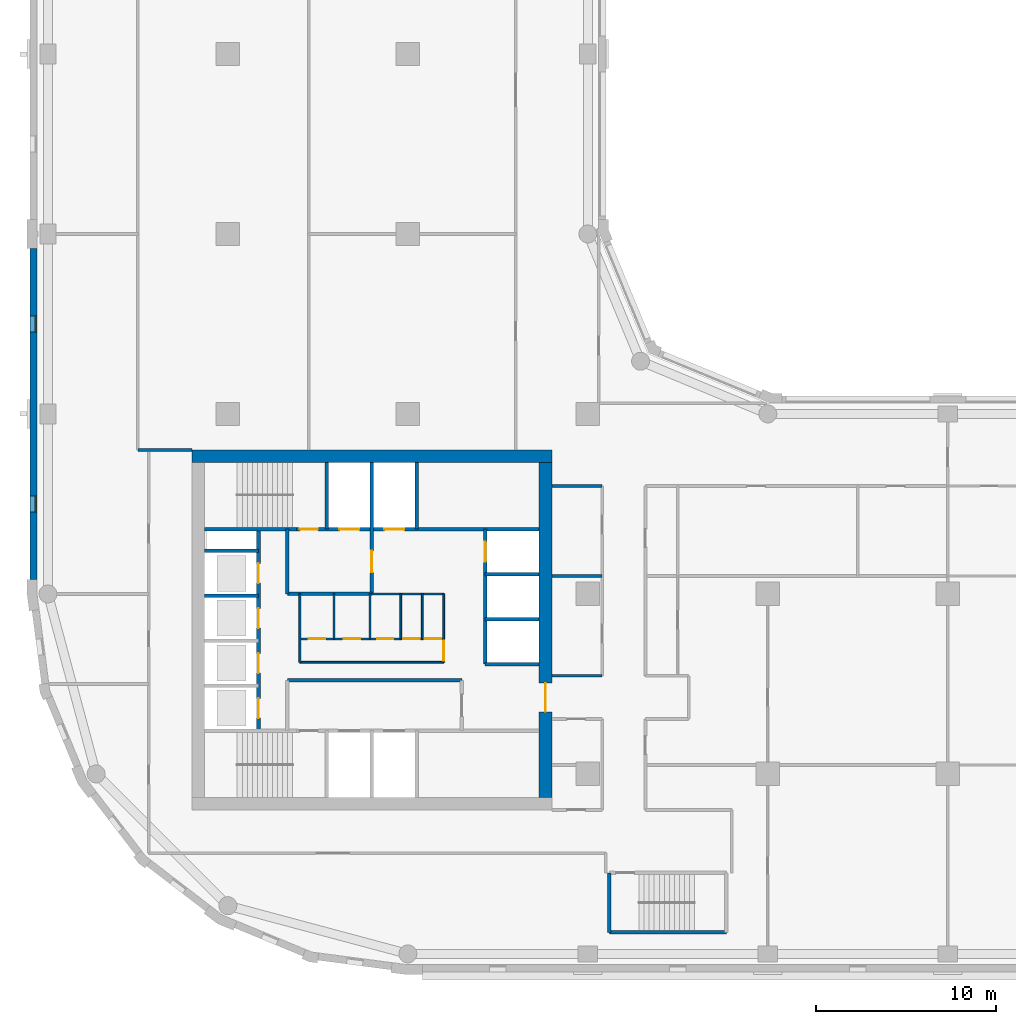
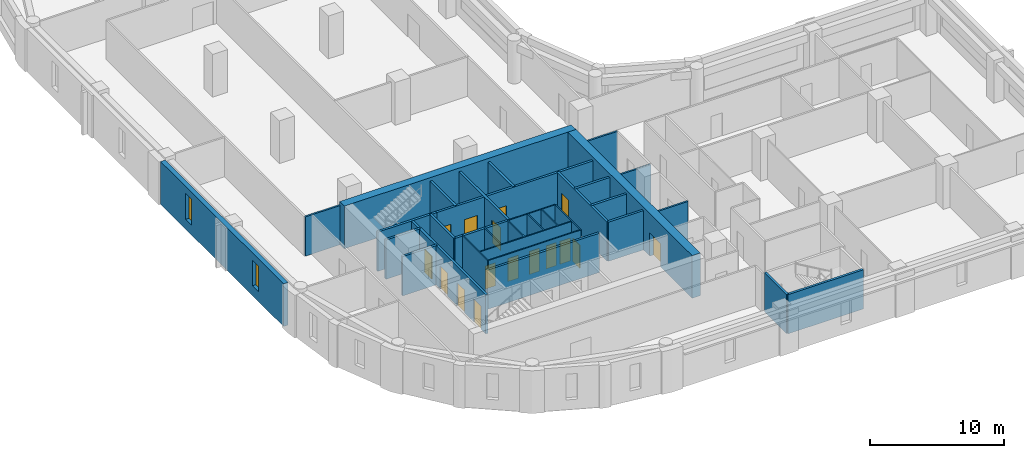
# One storey, part 3 of 10: 33 walls, 16 doors, 2 windows, 18 openings.
"""IFC4 building model written with IfcOpenShell, lengths in metres."""

from ifc_helpers import new_model, si_unit, direction, frame, frame_2d, origin, place, context, subcontext, project, spatial, rectangle, extrude, material, layer, layer_set, type_object, element, fill, save


model = new_model("IFC4")

# Units and contexts
model_context = context("Model", 3, precision=1e-05, world=origin(), true_north=direction((0.0, 1.0)))
body_context = subcontext(model_context, "Body", "Model", "MODEL_VIEW")
ifc_project = project(units=[si_unit("LENGTHUNIT", "METRE"), si_unit("AREAUNIT", "SQUARE_METRE"), si_unit("VOLUMEUNIT", "CUBIC_METRE"), si_unit("PLANEANGLEUNIT", "RADIAN"), si_unit("MASSUNIT", "GRAM", prefix="KILO")], contexts=[model_context])

# Site, building, storey
site_placement = place(None, origin())
site = spatial("IfcSite", under=ifc_project, at=site_placement, CompositionType="ELEMENT")
building_placement = place(site_placement, origin())
building = spatial("IfcBuilding", under=site, at=building_placement, Name="Qaws Garden Tower", CompositionType="ELEMENT")
storey_placement = place(building_placement, frame((0.0, 0.0, 178.5)))
storey = spatial("IfcBuildingStorey", under=building, at=storey_placement, Name="L43", CompositionType="ELEMENT", Elevation=178.5)

# Wall, openings, windows
ifc_material_1 = material(Name="Clay facing brick masonry", Category="masonry")
ifc_layer_1 = layer(ifc_material_1, 0.39990234375)
ifc_layer_set_1 = layer_set([ifc_layer_1], Name="Clay facing brick masonry")
wall_type_1 = type_object("IfcWallType", Name="Brick infill wall 400", PredefinedType="SOLIDWALL", material=ifc_layer_set_1)
wall_1_placement = place(storey_placement, frame((-0.800048828125, 39.199951171875, 0.0), z_axis=(0.0, 0.0, 1.0), x_axis=(0.0, -1.0, 0.0)))
wall_1 = element("IfcWall", 1, at=wall_1_placement, inside=storey, type_object=wall_type_1, Name="E-L43-infill-23", PredefinedType="SOLIDWALL", context=body_context, shape_type="SweptSolid", body=[
    extrude(rectangle(XDim=18.39990234375, YDim=0.39990234375, at=frame_2d((9.199951171875, 0.0))), origin(), (0.0, 0.0, 1.0), 3.89990234375),
])
opening_1_placement = place(wall_1_placement, frame((3.75, 0.0, 0.89990234375)))
opening_1 = element("IfcOpeningElement", 2, at=opening_1_placement, cuts=wall_1, Name="Opening W09", PredefinedType="OPENING", context=body_context, shape_type="SweptSolid", body=[
    extrude(rectangle(XDim=0.89990234375, YDim=2.35009765625, at=frame_2d((0.449951171875, 1.175048828125))), frame((0.0, 0.2099609375, 0.0), z_axis=(0.0, -1.0, 0.0), x_axis=(1.0, 0.0, 0.0)), (0.0, 0.0, 1.0), 0.419921875),
])
opening_2_placement = place(wall_1_placement, frame((13.75, 0.0, 0.89990234375)))
opening_2 = element("IfcOpeningElement", 3, at=opening_2_placement, cuts=wall_1, Name="Opening W09", PredefinedType="OPENING", context=body_context, shape_type="SweptSolid", body=[
    extrude(rectangle(XDim=0.89990234375, YDim=2.35009765625, at=frame_2d((0.449951171875, 1.175048828125))), frame((0.0, 0.2099609375, 0.0), z_axis=(0.0, -1.0, 0.0), x_axis=(1.0, 0.0, 0.0)), (0.0, 0.0, 1.0), 0.419921875),
])
ifc_material_2 = material(Name="Aluminium framed window, clear glazing", Category="aluminium")
window_type = type_object("IfcWindowType", Name="Slit window 900 x 2350", PartitioningType="SINGLE_PANEL", PredefinedType="WINDOW", material=ifc_material_2)
window_1_placement = place(opening_1_placement, origin())
window_1 = element("IfcWindow", 4, at=window_1_placement, inside=storey, type_object=window_type, Name="E-L43-window-23-0", OverallHeight=2.35009765625, OverallWidth=0.89990234375, PartitioningType="SINGLE_PANEL", PredefinedType="WINDOW", context=body_context, shape_type="SweptSolid", body=[
    extrude(rectangle(XDim=0.89990234375, YDim=2.35009765625, at=frame_2d((0.449951171875, 1.175048828125))), frame((0.0, 0.159912109375, 0.0), z_axis=(0.0, -1.0, 0.0), x_axis=(1.0, 0.0, 0.0)), (0.0, 0.0, 1.0), 0.06005859375),
])
fill(opening_1, window_1)
window_2_placement = place(opening_2_placement, origin())
window_2 = element("IfcWindow", 5, at=window_2_placement, inside=storey, type_object=window_type, Name="E-L43-window-24-0", OverallHeight=2.35009765625, OverallWidth=0.89990234375, PartitioningType="SINGLE_PANEL", PredefinedType="WINDOW", context=body_context, shape_type="SweptSolid", body=[
    extrude(rectangle(XDim=0.89990234375, YDim=2.35009765625, at=frame_2d((0.449951171875, 1.175048828125))), frame((0.0, 0.159912109375, 0.0), z_axis=(0.0, -1.0, 0.0), x_axis=(1.0, 0.0, 0.0)), (0.0, 0.0, 1.0), 0.06005859375),
])
fill(opening_2, window_2)

# Wall
ifc_material_3 = material(Name="Plasterboard")
ifc_layer_2 = layer(ifc_material_3, 0.10009765625)
ifc_layer_set_2 = layer_set([ifc_layer_2], Name="Plasterboard")
wall_type_2 = type_object("IfcWallType", Name="Core partition 100", PredefinedType="PARTITIONING", material=ifc_layer_set_2)
wall_2_placement = place(storey_placement, frame((14.0, 16.199951171875, 0.0), z_axis=(0.0, 0.0, 1.0), x_axis=(1.0, 0.0, 0.0)))
element("IfcWall", 6, at=wall_2_placement, inside=storey, type_object=wall_type_2, Name="Core partition", PredefinedType="PARTITIONING", context=body_context, shape_type="SweptSolid", body=[
    extrude(rectangle(XDim=8.0, YDim=0.10009765625, at=frame_2d((4.0, 0.0))), origin(), (0.0, 0.0, 1.0), 3.580078125),
])

# Wall, openings, doors
wall_3_placement = place(storey_placement, frame((14.0, 17.5, 0.0), z_axis=(0.0, 0.0, 1.0), x_axis=(1.0, 0.0, 0.0)))
wall_3 = element("IfcWall", 7, at=wall_3_placement, inside=storey, type_object=wall_type_2, Name="Core partition", PredefinedType="PARTITIONING", context=body_context, shape_type="SweptSolid", body=[
    extrude(rectangle(XDim=8.0, YDim=0.10009765625, at=frame_2d((4.0, 0.0))), origin(), (0.0, 0.0, 1.0), 3.580078125),
])
opening_3_placement = place(wall_3_placement, frame((0.5, 0.0, 0.0)))
opening_3 = element("IfcOpeningElement", 8, at=opening_3_placement, cuts=wall_3, Name="Opening WD18", PredefinedType="OPENING", context=body_context, shape_type="SweptSolid", body=[
    extrude(rectangle(XDim=0.89990234375, YDim=2.10009765625, at=frame_2d((0.449951171875, 1.050048828125))), frame((0.0, 0.06005859375, 0.0), z_axis=(0.0, -1.0, 0.0), x_axis=(1.0, 0.0, 0.0)), (0.0, 0.0, 1.0), 0.1201171875),
])
opening_4_placement = place(wall_3_placement, frame((2.449951171875, 0.0, 0.0)))
opening_4 = element("IfcOpeningElement", 9, at=opening_4_placement, cuts=wall_3, Name="Opening WD19", PredefinedType="OPENING", context=body_context, shape_type="SweptSolid", body=[
    extrude(rectangle(XDim=0.89990234375, YDim=2.10009765625, at=frame_2d((0.449951171875, 1.050048828125))), frame((0.0, 0.06005859375, 0.0), z_axis=(0.0, -1.0, 0.0), x_axis=(1.0, 0.0, 0.0)), (0.0, 0.0, 1.0), 0.1201171875),
])
opening_5_placement = place(wall_3_placement, frame((4.300048828125, 0.0, 0.0)))
opening_5 = element("IfcOpeningElement", 10, at=opening_5_placement, cuts=wall_3, Name="Opening WD20", PredefinedType="OPENING", context=body_context, shape_type="SweptSolid", body=[
    extrude(rectangle(XDim=0.89990234375, YDim=2.10009765625, at=frame_2d((0.449951171875, 1.050048828125))), frame((0.0, 0.06005859375, 0.0), z_axis=(0.0, -1.0, 0.0), x_axis=(1.0, 0.0, 0.0)), (0.0, 0.0, 1.0), 0.1201171875),
])
opening_6_placement = place(wall_3_placement, frame((5.75, 0.0, 0.0)))
opening_6 = element("IfcOpeningElement", 11, at=opening_6_placement, cuts=wall_3, Name="Opening WD21", PredefinedType="OPENING", context=body_context, shape_type="SweptSolid", body=[
    extrude(rectangle(XDim=0.89990234375, YDim=2.10009765625, at=frame_2d((0.449951171875, 1.050048828125))), frame((0.0, 0.06005859375, 0.0), z_axis=(0.0, -1.0, 0.0), x_axis=(1.0, 0.0, 0.0)), (0.0, 0.0, 1.0), 0.1201171875),
])
opening_7_placement = place(wall_3_placement, frame((6.949951171875, 0.0, 0.0)))
opening_7 = element("IfcOpeningElement", 12, at=opening_7_placement, cuts=wall_3, Name="Opening WD22", PredefinedType="OPENING", context=body_context, shape_type="SweptSolid", body=[
    extrude(rectangle(XDim=0.89990234375, YDim=2.10009765625, at=frame_2d((0.449951171875, 1.050048828125))), frame((0.0, 0.06005859375, 0.0), z_axis=(0.0, -1.0, 0.0), x_axis=(1.0, 0.0, 0.0)), (0.0, 0.0, 1.0), 0.1201171875),
])
ifc_material_4 = material(Name="Timber", Category="wood")
door_type_1 = type_object("IfcDoorType", Name="WC door 900x2100", OperationType="SINGLE_SWING_LEFT", PredefinedType="DOOR", material=ifc_material_4)
door_1_placement = place(opening_3_placement, origin())
door_1 = element("IfcDoor", 13, at=door_1_placement, inside=storey, type_object=door_type_1, Name="Men's WC door", OperationType="SINGLE_SWING_RIGHT", OverallHeight=2.10009765625, OverallWidth=0.89990234375, PredefinedType="DOOR", context=body_context, shape_type="SweptSolid", body=[
    extrude(rectangle(XDim=0.89990234375, YDim=2.10009765625, at=frame_2d((0.449951171875, 1.050048828125))), frame((0.0, 0.02490234375, 0.0), z_axis=(0.0, -1.0, 0.0), x_axis=(1.0, 0.0, 0.0)), (0.0, 0.0, 1.0), 0.050048828125),
])
fill(opening_3, door_1)
door_2_placement = place(opening_4_placement, origin())
door_2 = element("IfcDoor", 14, at=door_2_placement, inside=storey, type_object=door_type_1, Name="Women's WC door", OperationType="SINGLE_SWING_RIGHT", OverallHeight=2.10009765625, OverallWidth=0.89990234375, PredefinedType="DOOR", context=body_context, shape_type="SweptSolid", body=[
    extrude(rectangle(XDim=0.89990234375, YDim=2.10009765625, at=frame_2d((0.449951171875, 1.050048828125))), frame((0.0, 0.02490234375, 0.0), z_axis=(0.0, -1.0, 0.0), x_axis=(1.0, 0.0, 0.0)), (0.0, 0.0, 1.0), 0.050048828125),
])
fill(opening_4, door_2)
door_3_placement = place(opening_5_placement, origin())
door_3 = element("IfcDoor", 15, at=door_3_placement, inside=storey, type_object=door_type_1, Name="Accessible WC door", OperationType="SINGLE_SWING_RIGHT", OverallHeight=2.10009765625, OverallWidth=0.89990234375, PredefinedType="DOOR", context=body_context, shape_type="SweptSolid", body=[
    extrude(rectangle(XDim=0.89990234375, YDim=2.10009765625, at=frame_2d((0.449951171875, 1.050048828125))), frame((0.0, 0.02490234375, 0.0), z_axis=(0.0, -1.0, 0.0), x_axis=(1.0, 0.0, 0.0)), (0.0, 0.0, 1.0), 0.050048828125),
])
fill(opening_5, door_3)
door_4_placement = place(opening_6_placement, origin())
door_4 = element("IfcDoor", 16, at=door_4_placement, inside=storey, type_object=door_type_1, Name="Linen store door", OperationType="SINGLE_SWING_RIGHT", OverallHeight=2.10009765625, OverallWidth=0.89990234375, PredefinedType="DOOR", context=body_context, shape_type="SweptSolid", body=[
    extrude(rectangle(XDim=0.89990234375, YDim=2.10009765625, at=frame_2d((0.449951171875, 1.050048828125))), frame((0.0, 0.02490234375, 0.0), z_axis=(0.0, -1.0, 0.0), x_axis=(1.0, 0.0, 0.0)), (0.0, 0.0, 1.0), 0.050048828125),
])
fill(opening_6, door_4)
door_5_placement = place(opening_7_placement, origin())
door_5 = element("IfcDoor", 17, at=door_5_placement, inside=storey, type_object=door_type_1, Name="Cleaner's store door", OperationType="SINGLE_SWING_RIGHT", OverallHeight=2.10009765625, OverallWidth=0.89990234375, PredefinedType="DOOR", context=body_context, shape_type="SweptSolid", body=[
    extrude(rectangle(XDim=0.89990234375, YDim=2.10009765625, at=frame_2d((0.449951171875, 1.050048828125))), frame((0.0, 0.02490234375, 0.0), z_axis=(0.0, -1.0, 0.0), x_axis=(1.0, 0.0, 0.0)), (0.0, 0.0, 1.0), 0.050048828125),
])
fill(opening_7, door_5)

# Walls
wall_4_placement = place(storey_placement, frame((18.0, 20.0, 0.0), z_axis=(0.0, 0.0, 1.0), x_axis=(1.0, 0.0, 0.0)))
element("IfcWall", 18, at=wall_4_placement, inside=storey, type_object=wall_type_2, Name="Core partition", PredefinedType="PARTITIONING", context=body_context, shape_type="SweptSolid", body=[
    extrude(rectangle(XDim=4.0, YDim=0.10009765625, at=frame_2d((2.0, 0.0))), origin(), (0.0, 0.0, 1.0), 3.580078125),
])
wall_5_placement = place(storey_placement, frame((14.0, 16.199951171875, 0.0), z_axis=(0.0, 0.0, 1.0), x_axis=(0.0, 1.0, 0.0)))
element("IfcWall", 19, at=wall_5_placement, inside=storey, type_object=wall_type_2, Name="Core partition", PredefinedType="PARTITIONING", context=body_context, shape_type="SweptSolid", body=[
    extrude(rectangle(XDim=3.800048828125, YDim=0.10009765625, at=frame_2d((1.89990234375, 0.0))), origin(), (0.0, 0.0, 1.0), 3.580078125),
])
for number, where, z_axis, x_axis, name in (
    (20, (15.89990234375, 17.5, 0.0), (0.0, 0.0, 1.0), (0.0, 1.0, 0.0), "Core partition"),
    (21, (17.89990234375, 17.5, 0.0), (0.0, 0.0, 1.0), (0.0, 1.0, 0.0), "Core partition"),
    (22, (19.60009765625, 17.5, 0.0), (0.0, 0.0, 1.0), (0.0, 1.0, 0.0), "Core partition"),
    (23, (20.800048828125, 17.5, 0.0), (0.0, 0.0, 1.0), (0.0, 1.0, 0.0), "Core partition"),
):
    element("IfcWall", number, at=place(storey_placement, frame(where, z_axis=z_axis, x_axis=x_axis)), inside=storey, type_object=wall_type_2, Name=name, PredefinedType="PARTITIONING", context=body_context, shape_type="SweptSolid", body=[
        extrude(rectangle(XDim=2.5, YDim=0.10009765625, at=frame_2d((1.25, 0.0))), origin(), (0.0, 0.0, 1.0), 3.580078125),
    ])

# Wall, opening, door
wall_6_placement = place(storey_placement, frame((22.0, 16.199951171875, 0.0), z_axis=(0.0, 0.0, 1.0), x_axis=(0.0, 1.0, 0.0)))
wall_6 = element("IfcWall", 24, at=wall_6_placement, inside=storey, type_object=wall_type_2, Name="Core partition", PredefinedType="PARTITIONING", context=body_context, shape_type="SweptSolid", body=[
    extrude(rectangle(XDim=3.800048828125, YDim=0.10009765625, at=frame_2d((1.89990234375, 0.0))), origin(), (0.0, 0.0, 1.0), 3.580078125),
])
opening_8_placement = place(wall_6_placement, frame((0.10009765625, 0.0, 0.0)))
opening_8 = element("IfcOpeningElement", 25, at=opening_8_placement, cuts=wall_6, Name="Opening WL17", PredefinedType="OPENING", context=body_context, shape_type="SweptSolid", body=[
    extrude(rectangle(XDim=1.10009765625, YDim=2.10009765625, at=frame_2d((0.550048828125, 1.050048828125))), frame((0.0, 0.06005859375, 0.0), z_axis=(0.0, -1.0, 0.0), x_axis=(1.0, 0.0, 0.0)), (0.0, 0.0, 1.0), 0.1201171875),
])
ifc_material_5 = material(Name="Timber", Category="wood")
door_type_2 = type_object("IfcDoorType", Name="WC lobby door 1100x2100", OperationType="SINGLE_SWING_LEFT", PredefinedType="DOOR", material=ifc_material_5)
door_6_placement = place(opening_8_placement, origin())
door_6 = element("IfcDoor", 26, at=door_6_placement, inside=storey, type_object=door_type_2, Name="WC lobby door", OperationType="SINGLE_SWING_RIGHT", OverallHeight=2.10009765625, OverallWidth=1.10009765625, PredefinedType="DOOR", context=body_context, shape_type="SweptSolid", body=[
    extrude(rectangle(XDim=1.10009765625, YDim=2.10009765625, at=frame_2d((0.550048828125, 1.050048828125))), frame((0.0, 0.02490234375, 0.0), z_axis=(0.0, -1.0, 0.0), x_axis=(1.0, 0.0, 0.0)), (0.0, 0.0, 1.0), 0.050048828125),
])
fill(opening_8, door_6)

# Walls
ifc_material_6 = material(Name="Concrete C70", Category="concrete")
ifc_layer_3 = layer(ifc_material_6, 0.199951171875)
ifc_layer_set_3 = layer_set([ifc_layer_3], Name="Concrete C70")
wall_type_3 = type_object("IfcWallType", Name="Core shaft wall 200 C70", PredefinedType="SHEAR", material=ifc_layer_set_3)
wall_7_placement = place(storey_placement, frame((31.199951171875, 1.199951171875, 0.0), z_axis=(0.0, 0.0, 1.0), x_axis=(1.0, 0.0, 0.0)))
element("IfcWall", 27, at=wall_7_placement, inside=storey, type_object=wall_type_3, Name="Shaft wall", PredefinedType="SHEAR", context=body_context, shape_type="SweptSolid", body=[
    extrude(rectangle(XDim=6.5, YDim=0.199951171875, at=frame_2d((3.25, 0.0))), origin(), (0.0, 0.0, 1.0), 3.580078125),
])
wall_8_placement = place(storey_placement, frame((13.300048828125, 15.199951171875, 0.0), z_axis=(0.0, 0.0, 1.0), x_axis=(1.0, 0.0, 0.0)))
element("IfcWall", 28, at=wall_8_placement, inside=storey, type_object=wall_type_3, Name="Shaft wall", PredefinedType="SHEAR", context=body_context, shape_type="SweptSolid", body=[
    extrude(rectangle(XDim=9.699951171875, YDim=0.199951171875, at=frame_2d((4.85009765625, 0.0))), origin(), (0.0, 0.0, 1.0), 3.580078125),
])
for number, where, z_axis, x_axis, name in (
    (29, (24.300048828125, 16.10009765625, 0.0), (0.0, 0.0, 1.0), (1.0, 0.0, 0.0), "Shaft wall"),
    (30, (24.300048828125, 18.60009765625, 0.0), (0.0, 0.0, 1.0), (1.0, 0.0, 0.0), "Shaft wall"),
    (31, (8.699951171875, 19.89990234375, 0.0), (0.0, 0.0, 1.0), (1.0, 0.0, 0.0), "Shaft wall"),
):
    element("IfcWall", number, at=place(storey_placement, frame(where, z_axis=z_axis, x_axis=x_axis)), inside=storey, type_object=wall_type_3, Name=name, PredefinedType="SHEAR", context=body_context, shape_type="SweptSolid", body=[
        extrude(rectangle(XDim=3.0, YDim=0.199951171875, at=frame_2d((1.5, 0.0))), origin(), (0.0, 0.0, 1.0), 3.580078125),
    ])
wall_9_placement = place(storey_placement, frame((13.300048828125, 20.0, 0.0), z_axis=(0.0, 0.0, 1.0), x_axis=(1.0, 0.0, 0.0)))
element("IfcWall", 32, at=wall_9_placement, inside=storey, type_object=wall_type_3, Name="Shaft wall", PredefinedType="SHEAR", context=body_context, shape_type="SweptSolid", body=[
    extrude(rectangle(XDim=4.699951171875, YDim=0.199951171875, at=frame_2d((2.35009765625, 0.0))), origin(), (0.0, 0.0, 1.0), 3.580078125),
])
for number, where, z_axis, x_axis, name in (
    (33, (24.300048828125, 21.10009765625, 0.0), (0.0, 0.0, 1.0), (1.0, 0.0, 0.0), "Shaft wall"),
    (34, (8.699951171875, 22.39990234375, 0.0), (0.0, 0.0, 1.0), (1.0, 0.0, 0.0), "Shaft wall"),
):
    element("IfcWall", number, at=place(storey_placement, frame(where, z_axis=z_axis, x_axis=x_axis)), inside=storey, type_object=wall_type_3, Name=name, PredefinedType="SHEAR", context=body_context, shape_type="SweptSolid", body=[
        extrude(rectangle(XDim=3.0, YDim=0.199951171875, at=frame_2d((1.5, 0.0))), origin(), (0.0, 0.0, 1.0), 3.580078125),
    ])
wall_10_placement = place(storey_placement, frame((8.699951171875, 23.60009765625, 0.0), z_axis=(0.0, 0.0, 1.0), x_axis=(1.0, 0.0, 0.0)))
element("IfcWall", 35, at=wall_10_placement, inside=storey, type_object=wall_type_3, Name="Shaft wall", PredefinedType="SHEAR", context=body_context, shape_type="SweptSolid", body=[
    extrude(rectangle(XDim=5.10009765625, YDim=0.199951171875, at=frame_2d((2.550048828125, 0.0))), origin(), (0.0, 0.0, 1.0), 3.580078125),
])

# Wall, openings, doors
wall_11_placement = place(storey_placement, frame((13.800048828125, 23.60009765625, 0.0), z_axis=(0.0, 0.0, 1.0), x_axis=(1.0, 0.0, 0.0)))
wall_11 = element("IfcWall", 36, at=wall_11_placement, inside=storey, type_object=wall_type_3, Name="Shaft wall", PredefinedType="SHEAR", context=body_context, shape_type="SweptSolid", body=[
    extrude(rectangle(XDim=13.5, YDim=0.199951171875, at=frame_2d((6.75, 0.0))), origin(), (0.0, 0.0, 1.0), 3.580078125),
])
opening_9_placement = place(wall_11_placement, frame((2.39990234375, 0.0, 0.0)))
opening_9 = element("IfcOpeningElement", 37, at=opening_9_placement, cuts=wall_11, Name="Opening LD08", PredefinedType="OPENING", context=body_context, shape_type="SweptSolid", body=[
    extrude(rectangle(XDim=1.10009765625, YDim=2.10009765625, at=frame_2d((0.550048828125, 1.050048828125))), frame((0.0, 0.10986328125, 0.0), z_axis=(0.0, -1.0, 0.0), x_axis=(1.0, 0.0, 0.0)), (0.0, 0.0, 1.0), 0.219970703125),
])
opening_10_placement = place(wall_11_placement, frame((4.89990234375, 0.0, 0.0)))
opening_10 = element("IfcOpeningElement", 38, at=opening_10_placement, cuts=wall_11, Name="Opening LD09", PredefinedType="OPENING", context=body_context, shape_type="SweptSolid", body=[
    extrude(rectangle(XDim=1.10009765625, YDim=2.10009765625, at=frame_2d((0.550048828125, 1.050048828125))), frame((0.0, 0.10986328125, 0.0), z_axis=(0.0, -1.0, 0.0), x_axis=(1.0, 0.0, 0.0)), (0.0, 0.0, 1.0), 0.219970703125),
])
opening_11_placement = place(wall_11_placement, frame((0.199951171875, 0.0, 0.0)))
opening_11 = element("IfcOpeningElement", 39, at=opening_11_placement, cuts=wall_11, Name="Opening SD11", PredefinedType="OPENING", context=body_context, shape_type="SweptSolid", body=[
    extrude(rectangle(XDim=1.0, YDim=2.10009765625, at=frame_2d((0.5, 1.050048828125))), frame((0.0, 0.10986328125, 0.0), z_axis=(0.0, -1.0, 0.0), x_axis=(1.0, 0.0, 0.0)), (0.0, 0.0, 1.0), 0.219970703125),
])
ifc_material_7 = material(Name="Steel S235", Category="steel")
door_type_3 = type_object("IfcDoorType", Name="Landing door 1100x2100", OperationType="DOUBLE_DOOR_SLIDING", PredefinedType="DOOR", material=ifc_material_7)
door_7_placement = place(opening_9_placement, origin())
door_7 = element("IfcDoor", 40, at=door_7_placement, inside=storey, type_object=door_type_3, Name="Lift FF3 landing door", OperationType="DOUBLE_DOOR_SLIDING", OverallHeight=2.10009765625, OverallWidth=1.10009765625, PredefinedType="DOOR", context=body_context, shape_type="SweptSolid", body=[
    extrude(rectangle(XDim=1.10009765625, YDim=2.10009765625, at=frame_2d((0.550048828125, 1.050048828125))), frame((0.0, 0.02490234375, 0.0), z_axis=(0.0, -1.0, 0.0), x_axis=(1.0, 0.0, 0.0)), (0.0, 0.0, 1.0), 0.050048828125),
])
fill(opening_9, door_7)
door_8_placement = place(opening_10_placement, origin())
door_8 = element("IfcDoor", 41, at=door_8_placement, inside=storey, type_object=door_type_3, Name="Lift SV2 landing door", OperationType="DOUBLE_DOOR_SLIDING", OverallHeight=2.10009765625, OverallWidth=1.10009765625, PredefinedType="DOOR", context=body_context, shape_type="SweptSolid", body=[
    extrude(rectangle(XDim=1.10009765625, YDim=2.10009765625, at=frame_2d((0.550048828125, 1.050048828125))), frame((0.0, 0.02490234375, 0.0), z_axis=(0.0, -1.0, 0.0), x_axis=(1.0, 0.0, 0.0)), (0.0, 0.0, 1.0), 0.050048828125),
])
fill(opening_10, door_8)
ifc_material_8 = material(Name="Steel S235", Category="steel")
door_type_4 = type_object("IfcDoorType", Name="Stair door 1000x2100", OperationType="SINGLE_SWING_RIGHT", PredefinedType="DOOR", material=ifc_material_8)
door_9_placement = place(opening_11_placement, origin())
door_9 = element("IfcDoor", 42, at=door_9_placement, inside=storey, type_object=door_type_4, Name="Stair 4 door", OperationType="SINGLE_SWING_RIGHT", OverallHeight=2.10009765625, OverallWidth=1.0, PredefinedType="DOOR", context=body_context, shape_type="SweptSolid", body=[
    extrude(rectangle(XDim=1.0, YDim=2.10009765625, at=frame_2d((0.5, 1.050048828125))), frame((0.0, 0.02490234375, 0.0), z_axis=(0.0, -1.0, 0.0), x_axis=(1.0, 0.0, 0.0)), (0.0, 0.0, 1.0), 0.050048828125),
])
fill(opening_11, door_9)

wall_12_placement = place(storey_placement, frame((11.699951171875, 12.39990234375, 0.0), z_axis=(0.0, 0.0, 1.0), x_axis=(0.0, 1.0, 0.0)))
wall_12 = element("IfcWall", 43, at=wall_12_placement, inside=storey, type_object=wall_type_3, Name="Shaft wall", PredefinedType="SHEAR", context=body_context, shape_type="SweptSolid", body=[
    extrude(rectangle(XDim=11.2001953125, YDim=0.199951171875, at=frame_2d((5.60009765625, 0.0))), origin(), (0.0, 0.0, 1.0), 3.580078125),
])
opening_12_placement = place(wall_12_placement, frame((0.699951171875, 0.0, 0.0)))
opening_12 = element("IfcOpeningElement", 44, at=opening_12_placement, cuts=wall_12, Name="Opening LD01", PredefinedType="OPENING", context=body_context, shape_type="SweptSolid", body=[
    extrude(rectangle(XDim=1.10009765625, YDim=2.10009765625, at=frame_2d((0.550048828125, 1.050048828125))), frame((0.0, 0.10986328125, 0.0), z_axis=(0.0, -1.0, 0.0), x_axis=(1.0, 0.0, 0.0)), (0.0, 0.0, 1.0), 0.219970703125),
])
opening_13_placement = place(wall_12_placement, frame((3.199951171875, 0.0, 0.0)))
opening_13 = element("IfcOpeningElement", 45, at=opening_13_placement, cuts=wall_12, Name="Opening LD02", PredefinedType="OPENING", context=body_context, shape_type="SweptSolid", body=[
    extrude(rectangle(XDim=1.10009765625, YDim=2.10009765625, at=frame_2d((0.550048828125, 1.050048828125))), frame((0.0, 0.10986328125, 0.0), z_axis=(0.0, -1.0, 0.0), x_axis=(1.0, 0.0, 0.0)), (0.0, 0.0, 1.0), 0.219970703125),
])
opening_14_placement = place(wall_12_placement, frame((5.699951171875, 0.0, 0.0)))
opening_14 = element("IfcOpeningElement", 46, at=opening_14_placement, cuts=wall_12, Name="Opening LD03", PredefinedType="OPENING", context=body_context, shape_type="SweptSolid", body=[
    extrude(rectangle(XDim=1.10009765625, YDim=2.10009765625, at=frame_2d((0.550048828125, 1.050048828125))), frame((0.0, 0.10986328125, 0.0), z_axis=(0.0, -1.0, 0.0), x_axis=(1.0, 0.0, 0.0)), (0.0, 0.0, 1.0), 0.219970703125),
])
opening_15_placement = place(wall_12_placement, frame((8.199951171875, 0.0, 0.0)))
opening_15 = element("IfcOpeningElement", 47, at=opening_15_placement, cuts=wall_12, Name="Opening LD04", PredefinedType="OPENING", context=body_context, shape_type="SweptSolid", body=[
    extrude(rectangle(XDim=1.10009765625, YDim=2.10009765625, at=frame_2d((0.550048828125, 1.050048828125))), frame((0.0, 0.10986328125, 0.0), z_axis=(0.0, -1.0, 0.0), x_axis=(1.0, 0.0, 0.0)), (0.0, 0.0, 1.0), 0.219970703125),
])
door_10_placement = place(opening_12_placement, origin())
door_10 = element("IfcDoor", 48, at=door_10_placement, inside=storey, type_object=door_type_3, Name="Lift W1 landing door", OperationType="DOUBLE_DOOR_SLIDING", OverallHeight=2.10009765625, OverallWidth=1.10009765625, PredefinedType="DOOR", context=body_context, shape_type="SweptSolid", body=[
    extrude(rectangle(XDim=1.10009765625, YDim=2.10009765625, at=frame_2d((0.550048828125, 1.050048828125))), frame((0.0, 0.02490234375, 0.0), z_axis=(0.0, -1.0, 0.0), x_axis=(1.0, 0.0, 0.0)), (0.0, 0.0, 1.0), 0.050048828125),
])
fill(opening_12, door_10)
door_11_placement = place(opening_13_placement, origin())
door_11 = element("IfcDoor", 49, at=door_11_placement, inside=storey, type_object=door_type_3, Name="Lift W2 landing door", OperationType="DOUBLE_DOOR_SLIDING", OverallHeight=2.10009765625, OverallWidth=1.10009765625, PredefinedType="DOOR", context=body_context, shape_type="SweptSolid", body=[
    extrude(rectangle(XDim=1.10009765625, YDim=2.10009765625, at=frame_2d((0.550048828125, 1.050048828125))), frame((0.0, 0.02490234375, 0.0), z_axis=(0.0, -1.0, 0.0), x_axis=(1.0, 0.0, 0.0)), (0.0, 0.0, 1.0), 0.050048828125),
])
fill(opening_13, door_11)
door_12_placement = place(opening_14_placement, origin())
door_12 = element("IfcDoor", 50, at=door_12_placement, inside=storey, type_object=door_type_3, Name="Lift W3 landing door", OperationType="DOUBLE_DOOR_SLIDING", OverallHeight=2.10009765625, OverallWidth=1.10009765625, PredefinedType="DOOR", context=body_context, shape_type="SweptSolid", body=[
    extrude(rectangle(XDim=1.10009765625, YDim=2.10009765625, at=frame_2d((0.550048828125, 1.050048828125))), frame((0.0, 0.02490234375, 0.0), z_axis=(0.0, -1.0, 0.0), x_axis=(1.0, 0.0, 0.0)), (0.0, 0.0, 1.0), 0.050048828125),
])
fill(opening_14, door_12)
door_13_placement = place(opening_15_placement, origin())
door_13 = element("IfcDoor", 51, at=door_13_placement, inside=storey, type_object=door_type_3, Name="Lift W4 landing door", OperationType="DOUBLE_DOOR_SLIDING", OverallHeight=2.10009765625, OverallWidth=1.10009765625, PredefinedType="DOOR", context=body_context, shape_type="SweptSolid", body=[
    extrude(rectangle(XDim=1.10009765625, YDim=2.10009765625, at=frame_2d((0.550048828125, 1.050048828125))), frame((0.0, 0.02490234375, 0.0), z_axis=(0.0, -1.0, 0.0), x_axis=(1.0, 0.0, 0.0)), (0.0, 0.0, 1.0), 0.050048828125),
])
fill(opening_15, door_13)

# Walls
wall_13_placement = place(storey_placement, frame((13.300048828125, 20.0, 0.0), z_axis=(0.0, 0.0, 1.0), x_axis=(0.0, 1.0, 0.0)))
element("IfcWall", 52, at=wall_13_placement, inside=storey, type_object=wall_type_3, Name="Shaft wall", PredefinedType="SHEAR", context=body_context, shape_type="SweptSolid", body=[
    extrude(rectangle(XDim=3.60009765625, YDim=0.199951171875, at=frame_2d((1.800048828125, 0.0))), origin(), (0.0, 0.0, 1.0), 3.580078125),
])
wall_14_placement = place(storey_placement, frame((15.5, 23.60009765625, 0.0), z_axis=(0.0, 0.0, 1.0), x_axis=(0.0, 1.0, 0.0)))
element("IfcWall", 53, at=wall_14_placement, inside=storey, type_object=wall_type_3, Name="Shaft wall", PredefinedType="SHEAR", context=body_context, shape_type="SweptSolid", body=[
    extrude(rectangle(XDim=3.699951171875, YDim=0.199951171875, at=frame_2d((1.85009765625, 0.0))), origin(), (0.0, 0.0, 1.0), 3.580078125),
])

# Wall, opening, door
wall_15_placement = place(storey_placement, frame((18.0, 20.0, 0.0), z_axis=(0.0, 0.0, 1.0), x_axis=(0.0, 1.0, 0.0)))
wall_15 = element("IfcWall", 54, at=wall_15_placement, inside=storey, type_object=wall_type_3, Name="Shaft wall", PredefinedType="SHEAR", context=body_context, shape_type="SweptSolid", body=[
    extrude(rectangle(XDim=7.300048828125, YDim=0.199951171875, at=frame_2d((3.64990234375, 0.0))), origin(), (0.0, 0.0, 1.0), 3.580078125),
])
opening_16_placement = place(wall_15_placement, frame((1.199951171875, 0.0, 0.0)))
opening_16 = element("IfcOpeningElement", 55, at=opening_16_placement, cuts=wall_15, Name="Opening FD16", PredefinedType="OPENING", context=body_context, shape_type="SweptSolid", body=[
    extrude(rectangle(XDim=1.199951171875, YDim=2.10009765625, at=frame_2d((0.60009765625, 1.050048828125))), frame((0.0, 0.10986328125, 0.0), z_axis=(0.0, -1.0, 0.0), x_axis=(1.0, 0.0, 0.0)), (0.0, 0.0, 1.0), 0.219970703125),
])
ifc_material_9 = material(Name="Steel S235", Category="steel")
door_type_5 = type_object("IfcDoorType", Name="Lobby door 1200x2100", OperationType="DOUBLE_DOOR_SINGLE_SWING", PredefinedType="DOOR", material=ifc_material_9)
door_14_placement = place(opening_16_placement, origin())
door_14 = element("IfcDoor", 56, at=door_14_placement, inside=storey, type_object=door_type_5, Name="Fire-fighting lobby door", OperationType="DOUBLE_DOOR_SINGLE_SWING", OverallHeight=2.10009765625, OverallWidth=1.199951171875, PredefinedType="DOOR", context=body_context, shape_type="SweptSolid", body=[
    extrude(rectangle(XDim=1.199951171875, YDim=2.10009765625, at=frame_2d((0.60009765625, 1.050048828125))), frame((0.0, 0.02490234375, 0.0), z_axis=(0.0, -1.0, 0.0), x_axis=(1.0, 0.0, 0.0)), (0.0, 0.0, 1.0), 0.050048828125),
])
fill(opening_16, door_14)

# Wall
wall_16_placement = place(storey_placement, frame((20.5, 23.60009765625, 0.0), z_axis=(0.0, 0.0, 1.0), x_axis=(0.0, 1.0, 0.0)))
element("IfcWall", 57, at=wall_16_placement, inside=storey, type_object=wall_type_3, Name="Shaft wall", PredefinedType="SHEAR", context=body_context, shape_type="SweptSolid", body=[
    extrude(rectangle(XDim=3.699951171875, YDim=0.199951171875, at=frame_2d((1.85009765625, 0.0))), origin(), (0.0, 0.0, 1.0), 3.580078125),
])

# Wall, opening, door
wall_17_placement = place(storey_placement, frame((24.300048828125, 16.10009765625, 0.0), z_axis=(0.0, 0.0, 1.0), x_axis=(0.0, 1.0, 0.0)))
wall_17 = element("IfcWall", 58, at=wall_17_placement, inside=storey, type_object=wall_type_3, Name="Shaft wall", PredefinedType="SHEAR", context=body_context, shape_type="SweptSolid", body=[
    extrude(rectangle(XDim=7.5, YDim=0.199951171875, at=frame_2d((3.75, 0.0))), origin(), (0.0, 0.0, 1.0), 3.580078125),
])
opening_17_placement = place(wall_17_placement, frame((5.699951171875, 0.0, 0.0)))
opening_17 = element("IfcOpeningElement", 59, at=opening_17_placement, cuts=wall_17, Name="Opening LD05", PredefinedType="OPENING", context=body_context, shape_type="SweptSolid", body=[
    extrude(rectangle(XDim=1.10009765625, YDim=2.10009765625, at=frame_2d((0.550048828125, 1.050048828125))), frame((0.0, 0.10986328125, 0.0), z_axis=(0.0, -1.0, 0.0), x_axis=(1.0, 0.0, 0.0)), (0.0, 0.0, 1.0), 0.219970703125),
])
door_15_placement = place(opening_17_placement, origin())
door_15 = element("IfcDoor", 60, at=door_15_placement, inside=storey, type_object=door_type_3, Name="Lift E3 landing door", OperationType="DOUBLE_DOOR_SLIDING", OverallHeight=2.10009765625, OverallWidth=1.10009765625, PredefinedType="DOOR", context=body_context, shape_type="SweptSolid", body=[
    extrude(rectangle(XDim=1.10009765625, YDim=2.10009765625, at=frame_2d((0.550048828125, 1.050048828125))), frame((0.0, 0.02490234375, 0.0), z_axis=(0.0, -1.0, 0.0), x_axis=(1.0, 0.0, 0.0)), (0.0, 0.0, 1.0), 0.050048828125),
])
fill(opening_17, door_15)

# Wall
wall_18_placement = place(storey_placement, frame((31.199951171875, 1.199951171875, 0.0), z_axis=(0.0, 0.0, 1.0), x_axis=(0.0, 1.0, 0.0)))
element("IfcWall", 61, at=wall_18_placement, inside=storey, type_object=wall_type_3, Name="Shaft wall", PredefinedType="SHEAR", context=body_context, shape_type="SweptSolid", body=[
    extrude(rectangle(XDim=3.300048828125, YDim=0.199951171875, at=frame_2d((1.64990234375, 0.0))), origin(), (0.0, 0.0, 1.0), 3.580078125),
])

# Wall, opening, door
ifc_material_10 = material(Name="Concrete C70", Category="concrete")
ifc_layer_4 = layer(ifc_material_10, 0.699951171875)
ifc_layer_set_4 = layer_set([ifc_layer_4], Name="Concrete C70")
wall_type_4 = type_object("IfcWallType", Name="Core wall 700 C70", PredefinedType="SHEAR", material=ifc_layer_set_4)
wall_19_placement = place(storey_placement, frame((27.64990234375, 8.699951171875, 0.0), z_axis=(0.0, 0.0, 1.0), x_axis=(0.0, 1.0, 0.0)))
wall_19 = element("IfcWall", 62, at=wall_19_placement, inside=storey, type_object=wall_type_4, Name="Core wall L43 east", PredefinedType="SHEAR", context=body_context, shape_type="SweptSolid", body=[
    extrude(rectangle(XDim=18.60009765625, YDim=0.699951171875, at=frame_2d((9.300048828125, 0.0))), origin(), (0.0, 0.0, 1.0), 3.89990234375),
])
opening_18_placement = place(wall_19_placement, frame((4.75, 0.0, 0.0)))
opening_18 = element("IfcOpeningElement", 63, at=opening_18_placement, cuts=wall_19, Name="Opening ED23", PredefinedType="OPENING", context=body_context, shape_type="SweptSolid", body=[
    extrude(rectangle(XDim=1.60009765625, YDim=2.10009765625, at=frame_2d((0.800048828125, 1.050048828125))), frame((0.0, 0.35986328125, 0.0), z_axis=(0.0, -1.0, 0.0), x_axis=(1.0, 0.0, 0.0)), (0.0, 0.0, 1.0), 0.719970703125),
])
ifc_material_11 = material(Name="Steel S235", Category="steel")
door_type_6 = type_object("IfcDoorType", Name="Core entrance door 1600x2100", OperationType="DOUBLE_DOOR_SINGLE_SWING", PredefinedType="DOOR", material=ifc_material_11)
door_16_placement = place(opening_18_placement, origin())
door_16 = element("IfcDoor", 64, at=door_16_placement, inside=storey, type_object=door_type_6, Name="Core entrance door", OperationType="DOUBLE_DOOR_SINGLE_SWING", OverallHeight=2.10009765625, OverallWidth=1.60009765625, PredefinedType="DOOR", context=body_context, shape_type="SweptSolid", body=[
    extrude(rectangle(XDim=1.60009765625, YDim=2.10009765625, at=frame_2d((0.800048828125, 1.050048828125))), frame((0.0, 0.02490234375, 0.0), z_axis=(0.0, -1.0, 0.0), x_axis=(1.0, 0.0, 0.0)), (0.0, 0.0, 1.0), 0.050048828125),
])
fill(opening_18, door_16)

# Walls
wall_20_placement = place(storey_placement, frame((28.0, 27.64990234375, 0.0), z_axis=(0.0, 0.0, 1.0), x_axis=(-1.0, 0.0, 0.0)))
element("IfcWall", 65, at=wall_20_placement, inside=storey, type_object=wall_type_4, Name="Core wall L43 north", PredefinedType="SHEAR", context=body_context, shape_type="SweptSolid", body=[
    extrude(rectangle(XDim=20.0, YDim=0.699951171875, at=frame_2d((10.0, 0.0))), origin(), (0.0, 0.0, 1.0), 3.89990234375),
])
ifc_material_12 = material(Name="Gypsum board partition")
ifc_layer_5 = layer(ifc_material_12, 0.14990234375)
ifc_layer_set_5 = layer_set([ifc_layer_5], Name="Gypsum board partition")
wall_type_5 = type_object("IfcWallType", Name="PARTITION 150 EI 60", PredefinedType="PARTITIONING", material=ifc_layer_set_5)
for number, where, z_axis, x_axis, name in (
    (66, (28.0, 15.449951171875, 0.0), (0.0, 0.0, 1.0), (1.0, 0.0, 0.0), "O-L43-wall-037"),
    (67, (28.0, 21.0, 0.0), (0.0, 0.0, 1.0), (1.0, 0.0, 0.0), "O-L43-wall-040"),
    (68, (28.0, 26.0, 0.0), (0.0, 0.0, 1.0), (1.0, 0.0, 0.0), "O-L43-wall-042"),
):
    element("IfcWall", number, at=place(storey_placement, frame(where, z_axis=z_axis, x_axis=x_axis)), inside=storey, type_object=wall_type_5, Name=name, PredefinedType="PARTITIONING", context=body_context, shape_type="SweptSolid", body=[
        extrude(rectangle(XDim=2.800048828125, YDim=0.14990234375, at=frame_2d((1.39990234375, 0.0))), origin(), (0.0, 0.0, 1.0), 3.580078125),
    ])
wall_21_placement = place(storey_placement, frame((5.0, 28.0, 0.0), z_axis=(0.0, 0.0, 1.0), x_axis=(1.0, 0.0, 0.0)))
element("IfcWall", 69, at=wall_21_placement, inside=storey, type_object=wall_type_5, Name="O-L43-wall-044", PredefinedType="PARTITIONING", context=body_context, shape_type="SweptSolid", body=[
    extrude(rectangle(XDim=3.0, YDim=0.14990234375, at=frame_2d((1.5, 0.0))), origin(), (0.0, 0.0, 1.0), 3.580078125),
])

save(model, "model.ifc")
